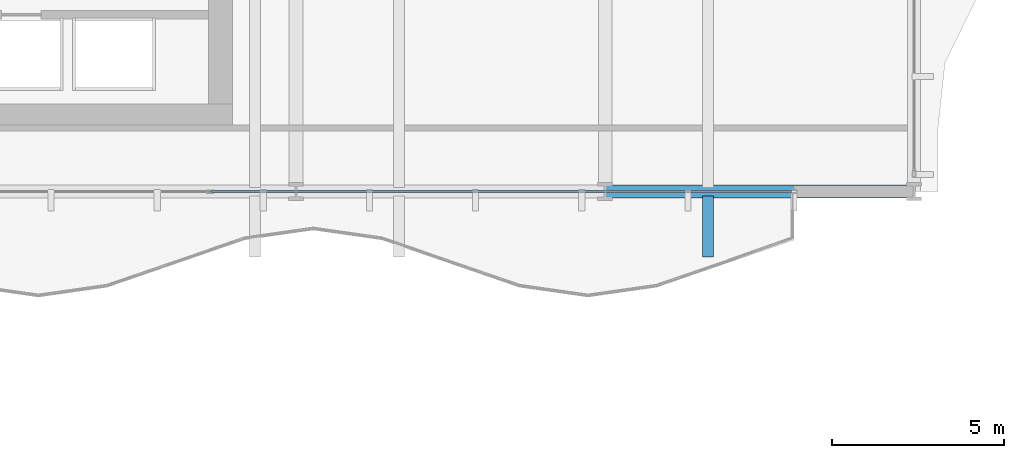
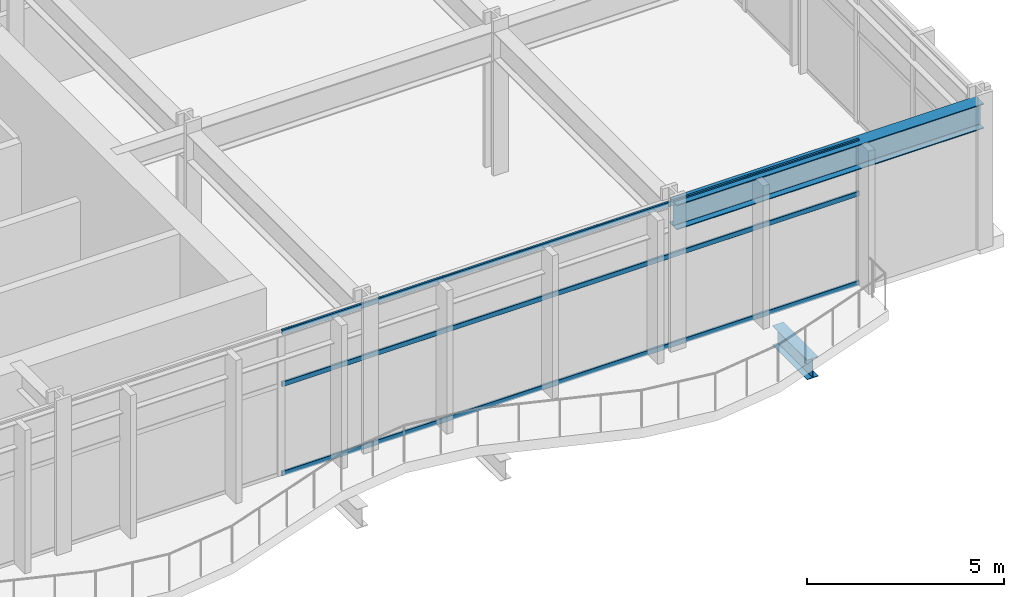
# One storey, part 9 of 31: 3 members, 2 beams, 1 element without a shape of its own.
"""IFC4 building model written with IfcOpenShell, lengths in metres."""

from ifc_helpers import new_model, si_unit, direction, frame, origin, origin_2d, place, context, subcontext, project, spatial, hollow_rectangle, i_section, extrude, material, layer, layer_set, material_profile, profile_set, type_object, element, aggregate, save


model = new_model("IFC4")

# Units and contexts
model_context = context("Model", 3, precision=1e-05, world=origin(), true_north=direction((0.0, 1.0)))
body_context = subcontext(model_context, "Body", "Model", "MODEL_VIEW")
ifc_project = project(units=[si_unit("LENGTHUNIT", "METRE"), si_unit("AREAUNIT", "SQUARE_METRE"), si_unit("VOLUMEUNIT", "CUBIC_METRE"), si_unit("PLANEANGLEUNIT", "RADIAN"), si_unit("MASSUNIT", "GRAM", prefix="KILO")], contexts=[model_context])

# Site, building, storey
site_placement = place(None, origin())
site = spatial("IfcSite", under=ifc_project, at=site_placement, CompositionType="ELEMENT")
building_placement = place(site_placement, origin())
building = spatial("IfcBuilding", under=site, at=building_placement, Name="Solvaryn Broadcast Tower", CompositionType="ELEMENT")
storey_placement = place(building_placement, frame((0.0, 0.0, 26.0)))
storey = spatial("IfcBuildingStorey", under=building, at=storey_placement, Name="L05", CompositionType="ELEMENT", Elevation=26.0)

# Beams
ifc_material_1 = material(Name="Steel ASTM A992 Grade 50", Category="steel")
ifc_material_profile_1 = material_profile(ifc_material_1, i_section(OverallWidth=0.323974609375, OverallDepth=0.611083984375, WebThickness=0.0126953125, FlangeThickness=0.01904296875, FilletRadius=0.014892578125, at=origin_2d()))
ifc_profile_set_1 = profile_set([ifc_material_profile_1], Name="Steel ASTM A992 Grade 50")
beam_type_1 = type_object("IfcBeamType", Name="BM-CANT-TER", PredefinedType="BEAM", material=ifc_profile_set_1)
beam_1_placement = place(storey_placement, frame((57.0, 8.875, -0.62548828125), z_axis=(0.0, -1.0, 0.0), x_axis=(1.0, 0.0, 0.0)))
element("IfcBeam", 1, at=beam_1_placement, inside=storey, type_object=beam_type_1, Name="L05 Terrace Cantilever Beam X57.0", PredefinedType="BEAM", context=body_context, shape_type="SweptSolid", body=[
    extrude(i_section(OverallWidth=0.323974609375, OverallDepth=0.611083984375, WebThickness=0.0126953125, FlangeThickness=0.01904296875, FilletRadius=0.014892578125, at=origin_2d()), origin(), (0.0, 0.0, 1.0), 1.77490234375),
])
ifc_material_2 = material(Name="Steel ASTM A992 Grade 50", Category="steel")
ifc_material_profile_2 = material_profile(ifc_material_2, i_section(OverallWidth=0.381103515625, OverallDepth=0.77294921875, WebThickness=0.0166015625, FlangeThickness=0.027099609375, FilletRadius=0.01806640625, at=origin_2d()))
ifc_profile_set_2 = profile_set([ifc_material_profile_2], Name="Steel ASTM A992 Grade 50")
beam_type_2 = type_object("IfcBeamType", Name="BM-SP1-W30X173", PredefinedType="USERDEFINED", material=ifc_profile_set_2)
beam_2_placement = place(storey_placement, frame((54.0, 9.0, 4.053466796875), z_axis=(1.0, 0.0, 0.0), x_axis=(0.0, 1.0, 0.0)))
element("IfcBeam", 2, at=beam_2_placement, inside=storey, type_object=beam_type_2, Name="L05 Spandrel Beam X (54-63 @ Y=9)", ObjectType="SPANDREL", PredefinedType="USERDEFINED", context=body_context, shape_type="SweptSolid", body=[
    extrude(i_section(OverallWidth=0.381103515625, OverallDepth=0.77294921875, WebThickness=0.0166015625, FlangeThickness=0.027099609375, FilletRadius=0.01806640625, at=origin_2d()), origin(), (0.0, 0.0, 1.0), 9.0),
])

# Curtain wall, members
ifc_material_3 = material(Name="Aluminium and Terracotta Unitised Curtain Wall", Category="masonry")
ifc_layer = layer(ifc_material_3, 0.219970703125)
ifc_layer_set = layer_set([ifc_layer], Name="CW-SYS1-PODIUM")
curtain_wall_type = type_object("IfcCurtainWallType", Name="CW-SYS1-PODIUM", PredefinedType="NOTDEFINED", material=ifc_layer_set)
curtain_wall_placement = place(storey_placement, origin())
curtain_wall = element("IfcCurtainWall", 3, at=curtain_wall_placement, inside=storey, type_object=curtain_wall_type, Name="L05 Podium Curtain Wall S1", PredefinedType="NOTDEFINED")
ifc_material_4 = material(Name="Anodised Aluminium 6063-T6", Category="aluminium")
ifc_material_profile_3 = material_profile(ifc_material_4, hollow_rectangle(XDim=0.06494140625, YDim=0.14990234375, WallThickness=0.00390625, InnerFilletRadius=0.00390625, OuterFilletRadius=0.008056640625, at=origin_2d()))
ifc_profile_set_3 = profile_set([ifc_material_profile_3], Name="Anodised Aluminium 6063-T6")
member_type = type_object("IfcMemberType", Name="CW-TRN-150", PredefinedType="USERDEFINED", material=ifc_profile_set_3)
member_1_placement = place(storey_placement, frame((59.43994140625, 9.0, 0.030029296875), z_axis=(-1.0, 0.0, 0.0), x_axis=(0.0, -1.0, 0.0)))
member_1 = element("IfcMember", 4, at=member_1_placement, type_object=member_type, Name="CWS1 transom 1.1", ObjectType="TRANSOM", PredefinedType="USERDEFINED", context=body_context, shape_type="SweptSolid", body=[
    extrude(hollow_rectangle(XDim=0.06494140625, YDim=0.14990234375, WallThickness=0.00390625, InnerFilletRadius=0.00390625, OuterFilletRadius=0.008056640625, at=origin_2d()), origin(), (0.0, 0.0, 1.0), 16.909912109375),
])
member_2_placement = place(storey_placement, frame((59.43994140625, 9.0, 2.800048828125), z_axis=(-1.0, 0.0, 0.0), x_axis=(0.0, -1.0, 0.0)))
member_2 = element("IfcMember", 5, at=member_2_placement, type_object=member_type, Name="CWS1 transom 1.2", ObjectType="TRANSOM", PredefinedType="USERDEFINED", context=body_context, shape_type="SweptSolid", body=[
    extrude(hollow_rectangle(XDim=0.06494140625, YDim=0.14990234375, WallThickness=0.00390625, InnerFilletRadius=0.00390625, OuterFilletRadius=0.008056640625, at=origin_2d()), origin(), (0.0, 0.0, 1.0), 16.909912109375),
])
member_3_placement = place(storey_placement, frame((59.43994140625, 9.0, 4.409912109375), z_axis=(-1.0, 0.0, 0.0), x_axis=(0.0, -1.0, 0.0)))
member_3 = element("IfcMember", 6, at=member_3_placement, type_object=member_type, Name="CWS1 transom 1.3", ObjectType="TRANSOM", PredefinedType="USERDEFINED", context=body_context, shape_type="SweptSolid", body=[
    extrude(hollow_rectangle(XDim=0.06494140625, YDim=0.14990234375, WallThickness=0.00390625, InnerFilletRadius=0.00390625, OuterFilletRadius=0.008056640625, at=origin_2d()), origin(), (0.0, 0.0, 1.0), 16.909912109375),
])
aggregate(curtain_wall, [member_1, member_2, member_3])

save(model, "model.ifc")
